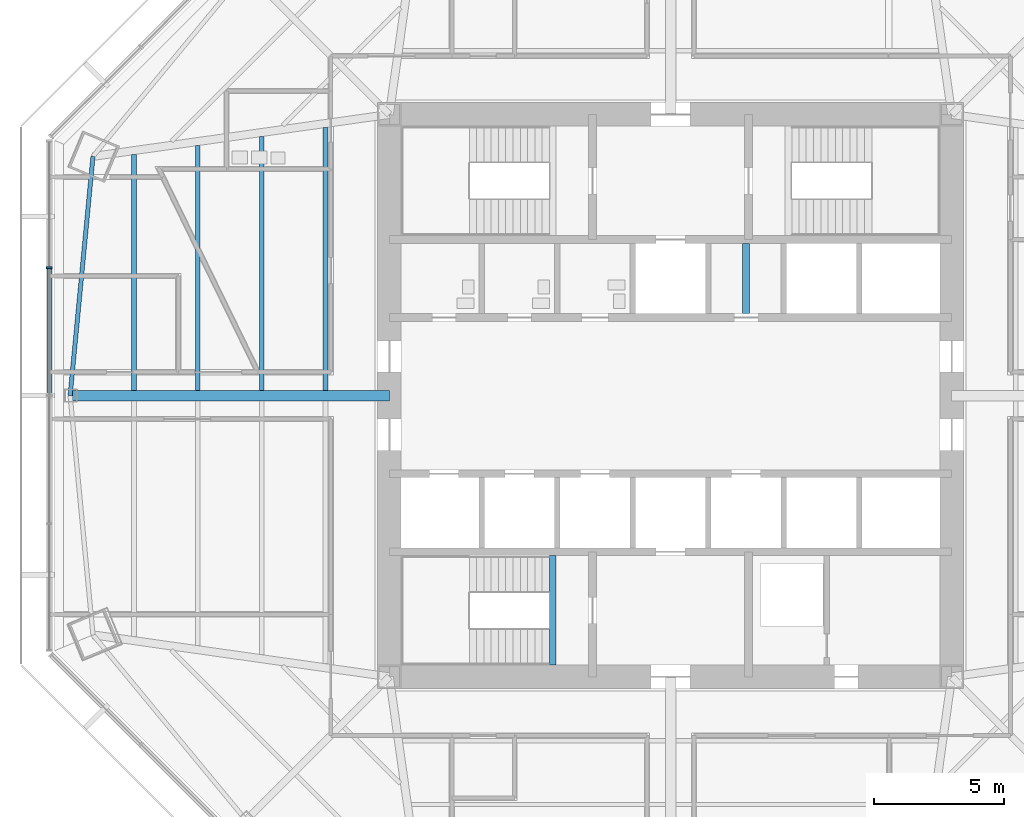
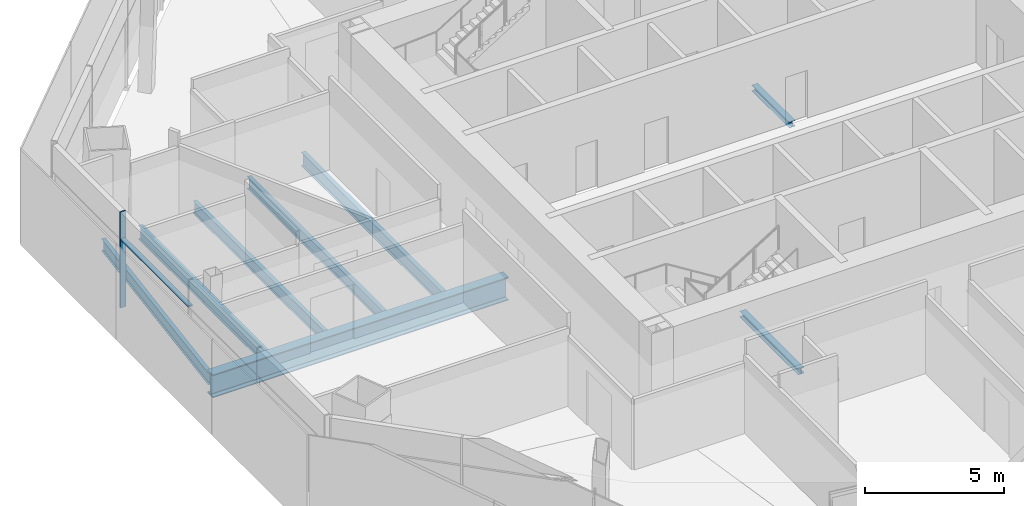
# One storey, part 3 of 14: 8 beams, 2 members, 1 element without a shape of its own.
"""IFC4 building model written with IfcOpenShell, lengths in metres."""

from ifc_helpers import new_model, si_unit, direction, frame, origin, origin_2d, place, context, subcontext, project, spatial, rectangle, i_section, extrude, source, transform, mapped, material, material_profile, profile_set, type_object, type_shapes, element, aggregate, save


model = new_model("IFC4")

# Units and contexts
model_context = context("Model", 3, precision=1e-05, world=origin(), true_north=direction((0.0, 1.0)))
body_context = subcontext(model_context, "Body", "Model", "MODEL_VIEW")
ifc_project = project(units=[si_unit("LENGTHUNIT", "METRE"), si_unit("AREAUNIT", "SQUARE_METRE"), si_unit("VOLUMEUNIT", "CUBIC_METRE"), si_unit("PLANEANGLEUNIT", "RADIAN"), si_unit("MASSUNIT", "GRAM", prefix="KILO")], contexts=[model_context])

# Site, building, storey
site_placement = place(None, origin())
site = spatial("IfcSite", under=ifc_project, at=site_placement, CompositionType="ELEMENT")
building_placement = place(site_placement, origin())
building = spatial("IfcBuilding", under=site, at=building_placement, Name="Mashrafa Tower", CompositionType="ELEMENT")
storey_placement = place(building_placement, frame((0.0, 0.0, 147.0)))
storey = spatial("IfcBuildingStorey", under=building, at=storey_placement, Name="L33", CompositionType="ELEMENT", Elevation=147.0)

# Beams
ifc_material_1 = material(Name="Steel ASTM A992", Category="steel")
ifc_material_profile_1 = material_profile(ifc_material_1, i_section(OverallWidth=0.1650390625, OverallDepth=0.52587890625, WebThickness=0.0087890625, FlangeThickness=0.011474609375, FilletRadius=0.0126953125, at=origin_2d()), Name="W21X44")
ifc_profile_set_1 = profile_set([ifc_material_profile_1], Name="Steel ASTM A992")
beam_type_1 = type_object("IfcBeamType", Name="Beam W21X44", PredefinedType="BEAM", material=ifc_profile_set_1)
beam_1_placement = place(storey_placement, frame((-18.156494140625, 0.20068359375, -0.427978515625), z_axis=(0.0, 1.0, 0.0), x_axis=(-1.0, 0.0, 0.0)))
element("IfcBeam", 1, at=beam_1_placement, inside=storey, type_object=beam_type_1, Name="Floor beam L33 005", PredefinedType="BEAM", context=body_context, shape_type="SweptSolid", body=[
    extrude(i_section(OverallWidth=0.1650390625, OverallDepth=0.52587890625, WebThickness=0.0087890625, FlangeThickness=0.011474609375, FilletRadius=0.0126953125, at=origin_2d()), origin(), (0.0, 0.0, 1.0), 9.402587890625),
])
beam_2_placement = place(storey_placement, frame((-15.704345703125, 0.20068359375, -0.427978515625), z_axis=(0.0, 1.0, 0.0), x_axis=(-1.0, 0.0, 0.0)))
element("IfcBeam", 2, at=beam_2_placement, inside=storey, type_object=beam_type_1, Name="Floor beam L33 007", PredefinedType="BEAM", context=body_context, shape_type="SweptSolid", body=[
    extrude(i_section(OverallWidth=0.1650390625, OverallDepth=0.52587890625, WebThickness=0.0087890625, FlangeThickness=0.011474609375, FilletRadius=0.0126953125, at=origin_2d()), origin(), (0.0, 0.0, 1.0), 9.749755859375),
])
beam_3_placement = place(storey_placement, frame((-22.182861328125, 9.1884765625, -0.427978515625), z_axis=(-0.095139858237, -0.995463915657, 0.0), x_axis=(0.995463915657, -0.095139858237, 0.0)))
element("IfcBeam", 3, at=beam_3_placement, inside=storey, type_object=beam_type_1, Name="Spandrel beam L33 067", PredefinedType="BEAM", context=body_context, shape_type="SweptSolid", body=[
    extrude(i_section(OverallWidth=0.1650390625, OverallDepth=0.52587890625, WebThickness=0.0087890625, FlangeThickness=0.011474609375, FilletRadius=0.0126953125, at=origin_2d()), origin(), (0.0, 0.0, 1.0), 9.230224609375),
])
ifc_material_2 = material(Name="Steel ASTM A992", Category="steel")
ifc_material_profile_2 = material_profile(ifc_material_2, i_section(OverallWidth=0.177978515625, OverallDepth=0.599365234375, WebThickness=0.010009765625, FlangeThickness=0.012939453125, FilletRadius=0.012939453125, at=origin_2d()), Name="W24X55")
ifc_profile_set_2 = profile_set([ifc_material_profile_2], Name="Steel ASTM A992")
beam_type_2 = type_object("IfcBeamType", Name="Beam W24X55", PredefinedType="BEAM", material=ifc_profile_set_2)
beam_4_placement = place(storey_placement, frame((-20.60888671875, 0.20068359375, -0.464599609375), z_axis=(0.0, 1.0, 0.0), x_axis=(-1.0, 0.0, 0.0)))
element("IfcBeam", 4, at=beam_4_placement, inside=storey, type_object=beam_type_2, Name="Floor beam L33 002", PredefinedType="BEAM", context=body_context, shape_type="SweptSolid", body=[
    extrude(i_section(OverallWidth=0.177978515625, OverallDepth=0.599365234375, WebThickness=0.010009765625, FlangeThickness=0.012939453125, FilletRadius=0.012939453125, at=origin_2d()), origin(), (0.0, 0.0, 1.0), 9.055419921875),
])
beam_5_placement = place(storey_placement, frame((-13.252197265625, 0.20068359375, -0.464599609375), z_axis=(0.0, 1.0, 0.0), x_axis=(-1.0, 0.0, 0.0)))
element("IfcBeam", 5, at=beam_5_placement, inside=storey, type_object=beam_type_2, Name="Floor beam L33 012", PredefinedType="BEAM", context=body_context, shape_type="SweptSolid", body=[
    extrude(i_section(OverallWidth=0.177978515625, OverallDepth=0.599365234375, WebThickness=0.010009765625, FlangeThickness=0.012939453125, FilletRadius=0.012939453125, at=origin_2d()), origin(), (0.0, 0.0, 1.0), 10.096923828125),
])
ifc_material_3 = material(Name="Steel ASTM A992", Category="steel")
ifc_material_profile_3 = material_profile(ifc_material_3, i_section(OverallWidth=0.4013671875, OverallDepth=1.010986328125, WebThickness=0.023681640625, FlangeThickness=0.0419921875, FilletRadius=0.02001953125, at=origin_2d()), Name="W40X297")
ifc_profile_set_3 = profile_set([ifc_material_profile_3], Name="Steel ASTM A992")
beam_type_3 = type_object("IfcBeamType", Name="Beam W40X297", PredefinedType="BEAM", material=ifc_profile_set_3)
beam_6_placement = place(storey_placement, frame((-10.800048828125, 0.0, -0.67041015625), z_axis=(-1.0, 0.0, 0.0), x_axis=(0.0, -1.0, 0.0)))
element("IfcBeam", 6, at=beam_6_placement, inside=storey, type_object=beam_type_3, Name="Radial girder L33 052", PredefinedType="BEAM", context=body_context, shape_type="SweptSolid", body=[
    extrude(i_section(OverallWidth=0.4013671875, OverallDepth=1.010986328125, WebThickness=0.023681640625, FlangeThickness=0.0419921875, FilletRadius=0.02001953125, at=origin_2d()), origin(), (0.0, 0.0, 1.0), 12.260986328125),
])
ifc_material_4 = material(Name="Steel ASTM A992", Category="steel")
ifc_material_profile_4 = material_profile(ifc_material_4, i_section(OverallWidth=0.25390625, OverallDepth=0.25390625, WebThickness=0.008544921875, FlangeThickness=0.01416015625, FilletRadius=0.010009765625, at=origin_2d()), Name="W10X49")
ifc_profile_set_4 = profile_set([ifc_material_profile_4], Name="Steel ASTM A992")
beam_type_4 = type_object("IfcBeamType", Name="Hoistway beam W10X49", PredefinedType="BEAM", material=ifc_profile_set_4)
beam_7_placement = place(storey_placement, frame((2.89990234375, 3.14990234375, -0.2919921875), z_axis=(0.0, 1.0, 0.0), x_axis=(-1.0, 0.0, 0.0)))
element("IfcBeam", 7, at=beam_7_placement, inside=storey, type_object=beam_type_4, Name="Hoistway beam L33 06", PredefinedType="BEAM", context=body_context, shape_type="SweptSolid", body=[
    extrude(i_section(OverallWidth=0.25390625, OverallDepth=0.25390625, WebThickness=0.008544921875, FlangeThickness=0.01416015625, FilletRadius=0.010009765625, at=origin_2d()), origin(), (0.0, 0.0, 1.0), 2.7001953125),
])
beam_8_placement = place(storey_placement, frame((-4.530029296875, -10.35009765625, -0.326904296875), z_axis=(0.0, 1.0, 0.0), x_axis=(-1.0, 0.0, 0.0)))
element("IfcBeam", 8, at=beam_8_placement, inside=storey, type_object=beam_type_4, Name="Stair S3 landing beam L33", PredefinedType="BEAM", context=body_context, shape_type="SweptSolid", body=[
    extrude(i_section(OverallWidth=0.25390625, OverallDepth=0.25390625, WebThickness=0.008544921875, FlangeThickness=0.01416015625, FilletRadius=0.010009765625, at=origin_2d()), origin(), (0.0, 0.0, 1.0), 4.2001953125),
])

# Curtain wall, members
ifc_material_5 = material(Name="Unitised aluminium curtain wall", Category="aluminium")
curtain_wall_type = type_object("IfcCurtainWallType", Name="Office curtain wall, zone 2 CW-B 225 deep", PredefinedType="NOTDEFINED", material=ifc_material_5)
curtain_wall_placement = place(storey_placement, origin())
curtain_wall = element("IfcCurtainWall", 9, at=curtain_wall_placement, inside=storey, type_object=curtain_wall_type, Name="Office curtain wall, zone 2 L33 west", PredefinedType="NOTDEFINED")
ifc_material_6 = material(Name="Extruded aluminium mullion", Category="aluminium")
ifc_material_profile_5 = material_profile(ifc_material_6, rectangle(XDim=0.22509765625, YDim=0.06494140625, at=origin_2d()), Name="Mullion 65x225")
ifc_profile_set_5 = profile_set([ifc_material_profile_5], Name="Extruded aluminium mullion")
member_type_1 = type_object("IfcMemberType", Name="Mullion CW-B 65 x 225", PredefinedType="MULLION", material=ifc_profile_set_5)
shared_shape_1 = source(origin(), body_context, "Body", "SweptSolid", [
    extrude(rectangle(XDim=0.22509765625, YDim=0.06494140625, at=origin_2d()), origin(), (0.0, 0.0, 1.0), 4.199951171875),
])
type_shapes(member_type_1, [shared_shape_1])
member_1_placement = place(storey_placement, frame((-23.856201171875, 4.91259765625, 0.0), z_axis=(0.0, 0.0, 1.0), x_axis=(1.0, 0.0, 0.0)))
member_1 = element("IfcMember", 10, at=member_1_placement, type_object=member_type_1, Name="CW-B mullion 2", PredefinedType="MULLION", context=body_context, shape_type="MappedRepresentation", body=[
    mapped(shared_shape_1, transform((0.0, 0.0, 0.0))),
])
ifc_material_7 = material(Name="Extruded aluminium transom", Category="aluminium")
ifc_material_profile_6 = material_profile(ifc_material_7, rectangle(XDim=0.179931640625, YDim=0.080078125, at=origin_2d()), Name="Transom 80x180")
ifc_profile_set_6 = profile_set([ifc_material_profile_6], Name="Extruded aluminium transom")
member_type_2 = type_object("IfcMemberType", Name="Transom CW-B 80 x 180", PredefinedType="MULLION", material=ifc_profile_set_6)
shared_shape_2 = source(origin(), body_context, "Body", "SweptSolid", [
    extrude(rectangle(XDim=0.179931640625, YDim=0.080078125, at=origin_2d()), origin(), (0.0, 0.0, 1.0), 4.847412109375),
])
type_shapes(member_type_2, [shared_shape_2])
member_2_placement = place(storey_placement, frame((-23.856201171875, 4.8798828125, 3.0), z_axis=(0.0, -1.0, 0.0), x_axis=(1.0, 0.0, 0.0)))
member_2 = element("IfcMember", 11, at=member_2_placement, type_object=member_type_2, Name="CW-B transom 2", PredefinedType="MULLION", context=body_context, shape_type="MappedRepresentation", body=[
    mapped(shared_shape_2, transform((0.0, 0.0, 0.0))),
])
aggregate(curtain_wall, [member_1, member_2])

save(model, "model.ifc")
